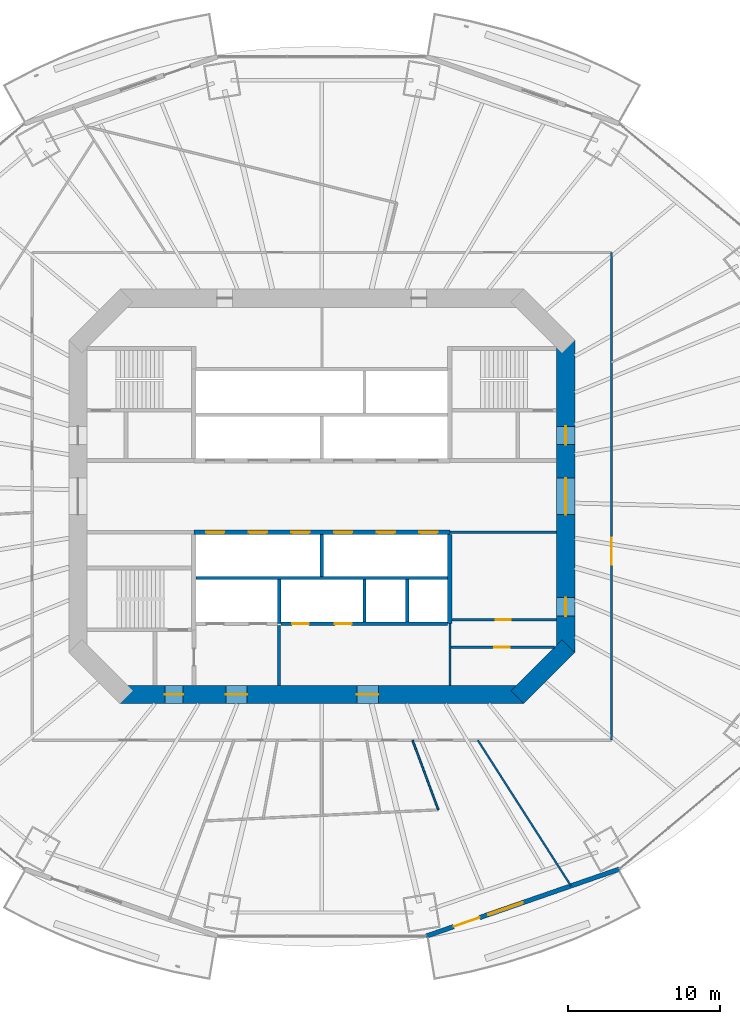
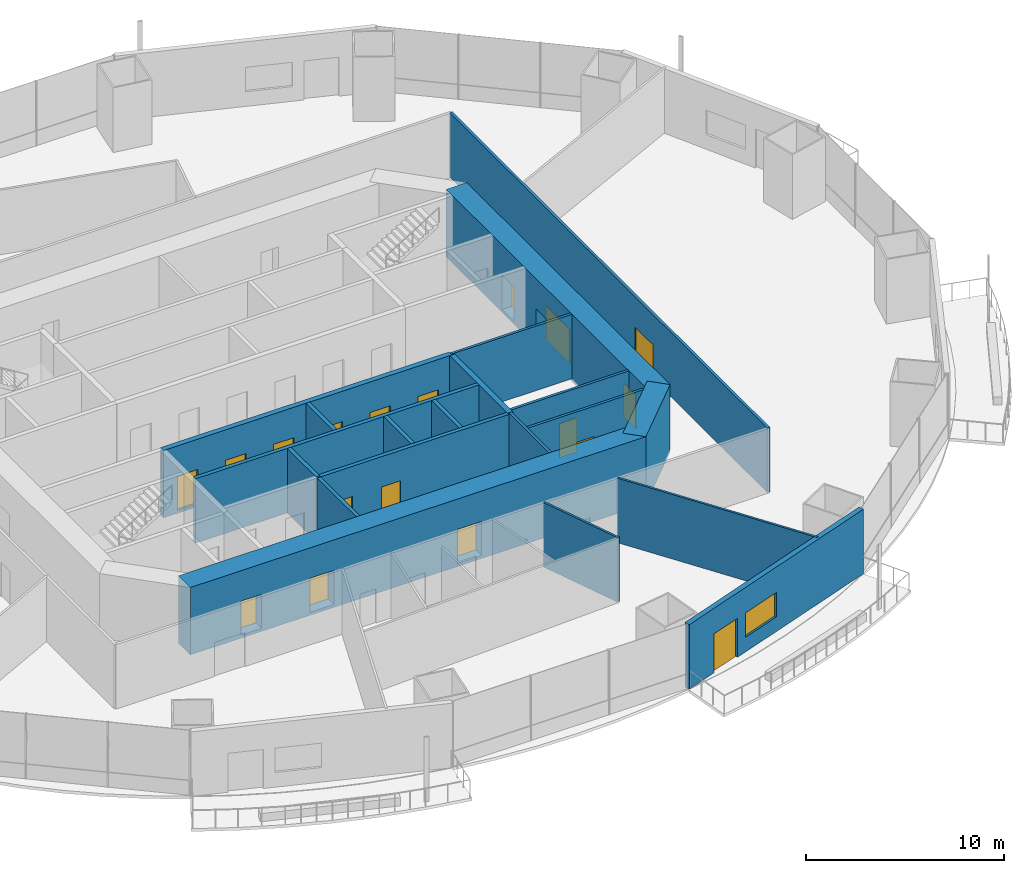
# One storey, part 14 of 22: 20 walls, 18 doors, 1 window, 19 openings.
"""IFC4 building model written with IfcOpenShell, lengths in metres."""

import ifcopenshell
import ifcopenshell.guid

model = None  # the IFC model being written
_history = None  # IfcOwnerHistory: only IFC2X3 demands one
_inside = {}  # id of a spatial element -> (the spatial element, [elements in it])
_under = {}  # id of a project, library or spatial element -> (it, [spatial elements below it])
_declared = {}  # id of a project -> (the project, [libraries it declares])
_typed = {}  # id of a type object -> (the type object, [elements of that type])
_made_of = {}  # id of a material, layer set ... -> (it, [elements and type objects made of it])


def new_model(schema):
    """Start an empty IFC model of exactly this schema.

    Asked for "IFC4X3", IfcOpenShell would pick the latest addendum, in which some entities
    have other attributes; the version numbers below select the first issue.
    IFC2X3 requires an IfcOwnerHistory on every rooted entity: one is made here for all.
    """
    global model, _history
    if schema == "IFC4X3":
        model = ifcopenshell.file(schema_version=(4, 3, 0, 0))
    else:
        model = ifcopenshell.file(schema=schema)
    _inside.clear()
    _under.clear()
    _declared.clear()
    _typed.clear()
    _made_of.clear()
    _history = None
    if model.schema == "IFC2X3":
        org = make("IfcOrganization", Name="unknown")
        user = make(
            "IfcPersonAndOrganization",
            ThePerson=make("IfcPerson", FamilyName="unknown"),
            TheOrganization=org,
        )
        app = make(
            "IfcApplication",
            ApplicationDeveloper=org,
            Version="unknown",
            ApplicationFullName="unknown",
            ApplicationIdentifier="unknown",
        )
        _history = make(
            "IfcOwnerHistory",
            OwningUser=user,
            OwningApplication=app,
            ChangeAction="ADDED",
            CreationDate=0,
        )
    return model


def make(cls, **values):
    """One entity of the class cls with the attributes given. An attribute that is None is left unset."""
    return model.create_entity(
        cls, **{name: value for name, value in values.items() if value is not None}
    )


def rooted(cls, **values):
    """An entity with a GlobalId (a new one), such as an element, a storey or a relation."""
    return make(cls, GlobalId=ifcopenshell.guid.new(), OwnerHistory=_history, **values)


def si_unit(unit_type, name, prefix=None):
    """IfcSIUnit, for example si_unit("LENGTHUNIT", "METRE", prefix="MILLI")."""
    return make("IfcSIUnit", UnitType=unit_type, Prefix=prefix, Name=name)


def assignment(units):
    """IfcUnitAssignment: the units of a project."""
    return None if units is None else make("IfcUnitAssignment", Units=units)


def point(xyz):
    """IfcCartesianPoint."""
    return None if xyz is None else make("IfcCartesianPoint", Coordinates=xyz)


def direction(xyz):
    """IfcDirection."""
    return None if xyz is None else make("IfcDirection", DirectionRatios=xyz)


def frame(location, z_axis=None, x_axis=None):
    """IfcAxis2Placement3D, a coordinate frame: its origin and axes. An axis left out is left unset."""
    return make(
        "IfcAxis2Placement3D",
        Location=point(location),
        Axis=direction(z_axis),
        RefDirection=direction(x_axis),
    )


def frame_2d(location, x_axis=None):
    """IfcAxis2Placement2D, a coordinate frame in the plane: its origin and x axis."""
    return make(
        "IfcAxis2Placement2D", Location=point(location), RefDirection=direction(x_axis)
    )


def origin():
    """The frame at (0, 0, 0) with its axes left unset."""
    return frame((0.0, 0.0, 0.0))


def place(relative_to, where):
    """IfcLocalPlacement: puts the frame where relative to a parent placement (None: the world)."""
    return make(
        "IfcLocalPlacement", PlacementRelTo=relative_to, RelativePlacement=where
    )


def context(
    kind, dimensions, precision=None, world=None, true_north=None, identifier=None
):
    """IfcGeometricRepresentationContext, for example the 3D "Model" context."""
    return make(
        "IfcGeometricRepresentationContext",
        ContextIdentifier=identifier,
        ContextType=kind,
        CoordinateSpaceDimension=dimensions,
        Precision=precision,
        WorldCoordinateSystem=world,
        TrueNorth=true_north,
    )


def subcontext(parent, identifier, kind, view, scale=None):
    """IfcGeometricRepresentationSubContext, for example "Body" below "Model"."""
    return make(
        "IfcGeometricRepresentationSubContext",
        ContextIdentifier=identifier,
        ContextType=kind,
        ParentContext=parent,
        TargetScale=scale,
        TargetView=view,
    )


def project(units=None, contexts=None):
    """IfcProject with its units and contexts."""
    return rooted(
        "IfcProject",
        Name="project",
        RepresentationContexts=contexts,
        UnitsInContext=assignment(units),
    )


def spatial(cls, under=None, at=None, **own):
    """A site, building, storey or space (cls), placed at a placement, below another one or the project."""
    s = rooted(cls, ObjectPlacement=at, **own)
    if under is not None:
        _under.setdefault(under.id(), (under, []))[1].append(s)
    return s


def profile(cls, at=None, kind="AREA", **sizes):
    """A parametric profile (cls). Its sizes go by their IFC names, for example OverallWidth=200.0."""
    return make(cls, ProfileType=kind, Position=at, **sizes)


def rectangle(**sizes):
    """IfcRectangleProfileDef."""
    return profile("IfcRectangleProfileDef", **sizes)


def extrude(swept, where, along, depth):
    """IfcExtrudedAreaSolid: the profile swept, set in the frame where, extruded along a direction by depth."""
    return make(
        "IfcExtrudedAreaSolid",
        SweptArea=swept,
        Position=where,
        ExtrudedDirection=direction(along),
        Depth=depth,
    )


def shape(context_of_items, identifier, shape_type, items):
    """IfcShapeRepresentation: the items that make up one representation, for example the "Body"."""
    return make(
        "IfcShapeRepresentation",
        ContextOfItems=context_of_items,
        RepresentationIdentifier=identifier,
        RepresentationType=shape_type,
        Items=items,
    )


def material(Name=None, Category=None):
    """IfcMaterial."""
    return make("IfcMaterial", Name=Name, Category=Category)


def layer(
    of_material, thickness, ventilated=None, Name=None, Category=None, Priority=None
):
    """IfcMaterialLayer: one layer of a wall or slab, of a material (None: an air gap)."""
    return make(
        "IfcMaterialLayer",
        Material=of_material,
        LayerThickness=thickness,
        IsVentilated=ventilated,
        Name=Name,
        Category=Category,
        Priority=Priority,
    )


def layer_set(layers, Name=None):
    """IfcMaterialLayerSet."""
    return make("IfcMaterialLayerSet", MaterialLayers=layers, LayerSetName=Name)


def made_of(thing, what):
    """Note that an element or type object is made of a material, layer set ...; save() writes the relation."""
    if what is not None:
        _made_of.setdefault(what.id(), (what, []))[1].append(thing)
    return thing


def type_object(cls, material=None, **own):
    """A type object (cls), such as IfcWallType, which elements share."""
    return made_of(rooted(cls, **own), material)


def element(
    cls,
    number,
    at=None,
    inside=None,
    cuts=None,
    type_object=None,
    material=None,
    context=None,
    identifier="Body",
    shape_type=None,
    held_by="IfcProductDefinitionShape",
    body=None,
    shapes=None,
    **own,
):
    """One element of the class cls, such as IfcWall. Its Tag is "e" and its number.

    at: its placement. inside: the storey or other place that contains it. cuts: it is an
    opening in that element (IfcRelVoidsElement). A single representation is given by context,
    identifier, shape_type and body (its items); several are given by shapes. held_by: the class
    of the entity that holds the representations. save() writes the other relations.
    """
    e = rooted(cls, Tag="e%d" % number, ObjectPlacement=at, **own)
    if body is not None:
        shapes = [shape(context, identifier, shape_type, body)]
    if shapes is not None:
        e.Representation = make(held_by, Representations=shapes)
    if inside is not None:
        _inside.setdefault(inside.id(), (inside, []))[1].append(e)
    if cuts is not None:
        rooted(
            "IfcRelVoidsElement", RelatingBuildingElement=cuts, RelatedOpeningElement=e
        )
    if type_object is not None:
        _typed.setdefault(type_object.id(), (type_object, []))[1].append(e)
    return made_of(e, material)


def fill(opening, filler):
    """IfcRelFillsElement: the door or window that sits in an opening."""
    return rooted(
        "IfcRelFillsElement",
        RelatingOpeningElement=opening,
        RelatedBuildingElement=filler,
    )


def aggregate(whole, parts):
    """IfcRelAggregates: a whole, such as a stair, and the parts it consists of."""
    return rooted("IfcRelAggregates", RelatingObject=whole, RelatedObjects=parts)


def save(model, path):
    """Write the relations noted so far, then the file.

    IfcRelAggregates (storeys below a building ...), IfcRelContainedInSpatialStructure (elements
    in a storey), IfcRelDefinesByType, IfcRelAssociatesMaterial and IfcRelDeclares: one each for
    every whole, place, type object, material and project.
    """
    for whole, parts in _under.values():
        aggregate(whole, parts)
    for where, things in _inside.values():
        rooted(
            "IfcRelContainedInSpatialStructure",
            RelatedElements=things,
            RelatingStructure=where,
        )
    for kind, things in _typed.values():
        rooted("IfcRelDefinesByType", RelatedObjects=things, RelatingType=kind)
    for what, things in _made_of.values():
        rooted("IfcRelAssociatesMaterial", RelatedObjects=things, RelatingMaterial=what)
    for by, libraries in _declared.values():
        rooted("IfcRelDeclares", RelatingContext=by, RelatedDefinitions=libraries)
    model.write(path)


model = new_model("IFC4")

# Units and contexts
model_context = context("Model", 3, precision=1e-05, world=origin(), true_north=direction((0.0, 1.0)))
body_context = subcontext(model_context, "Body", "Model", "MODEL_VIEW")
ifc_project = project(units=[si_unit("LENGTHUNIT", "METRE"), si_unit("AREAUNIT", "SQUARE_METRE"), si_unit("VOLUMEUNIT", "CUBIC_METRE"), si_unit("PLANEANGLEUNIT", "RADIAN"), si_unit("MASSUNIT", "GRAM", prefix="KILO")], contexts=[model_context])

# Site, building, storey
site_placement = place(None, origin())
site = spatial("IfcSite", under=ifc_project, at=site_placement, CompositionType="ELEMENT")
building_placement = place(site_placement, origin())
building = spatial("IfcBuilding", under=site, at=building_placement, Name="Marenthal Gate Tower", CompositionType="ELEMENT")
storey_placement = place(building_placement, frame((0.0, 0.0, 86.949951171875)))
storey = spatial("IfcBuildingStorey", under=building, at=storey_placement, Name="L17", CompositionType="ELEMENT", Elevation=86.949951171875)

# Wall
ifc_material_1 = material(Name="Concrete 60 MPa", Category="concrete")
ifc_layer_1 = layer(ifc_material_1, 1.199951171875)
ifc_layer_set_1 = layer_set([ifc_layer_1], Name="Core shear wall 1200")
wall_type_1 = type_object("IfcWallType", Name="Core shear wall 1200", PredefinedType="SHEAR", material=ifc_layer_set_1)
wall_1_placement = place(storey_placement, frame((12.82421875, -13.17578125, -0.179931640625), z_axis=(0.0, 0.0, 1.0), x_axis=(0.707106781187, 0.707106781187, 0.0)))
element("IfcWall", 1, at=wall_1_placement, inside=storey, type_object=wall_type_1, Name="Core wall 01", PredefinedType="SHEAR", context=body_context, shape_type="SweptSolid", body=[
    extrude(rectangle(XDim=4.73974609375, YDim=1.199951171875, at=frame_2d((2.369873046875, 0.0))), origin(), (0.0, 0.0, 1.0), 4.14990234375),
])

# Wall, openings, doors
wall_2_placement = place(storey_placement, frame((16.0, -10.24853515625, -0.179931640625), z_axis=(0.0, 0.0, 1.0), x_axis=(0.0, 1.0, 0.0)))
wall_2 = element("IfcWall", 2, at=wall_2_placement, inside=storey, type_object=wall_type_1, Name="Core wall 02", PredefinedType="SHEAR", context=body_context, shape_type="SweptSolid", body=[
    extrude(rectangle(XDim=20.4970703125, YDim=1.199951171875, at=frame_2d((10.24853515625, 0.0))), origin(), (0.0, 0.0, 1.0), 4.14990234375),
])
opening_1_placement = place(wall_2_placement, frame((9.048583984375, 0.0, 0.179931640625)))
opening_1 = element("IfcOpeningElement", 3, at=opening_1_placement, cuts=wall_2, Name="Opening D003.02", PredefinedType="OPENING", context=body_context, shape_type="SweptSolid", body=[
    extrude(rectangle(XDim=2.39990234375, YDim=2.10009765625, at=frame_2d((1.199951171875, 1.050048828125))), frame((0.0, 0.60986328125, 0.0), z_axis=(0.0, -1.0, 0.0), x_axis=(1.0, 0.0, 0.0)), (0.0, 0.0, 1.0), 1.219970703125),
])
opening_2_placement = place(wall_2_placement, frame((13.6484375, 0.0, 0.179931640625)))
opening_2 = element("IfcOpeningElement", 4, at=opening_2_placement, cuts=wall_2, Name="Opening D001.05", PredefinedType="OPENING", context=body_context, shape_type="SweptSolid", body=[
    extrude(rectangle(XDim=1.199951171875, YDim=2.10009765625, at=frame_2d((0.60009765625, 1.050048828125))), frame((0.0, 0.60986328125, 0.0), z_axis=(0.0, -1.0, 0.0), x_axis=(1.0, 0.0, 0.0)), (0.0, 0.0, 1.0), 1.219970703125),
])
opening_3_placement = place(wall_2_placement, frame((2.39990234375, 0.0, 0.179931640625)))
opening_3 = element("IfcOpeningElement", 5, at=opening_3_placement, cuts=wall_2, Name="Opening D006.01", PredefinedType="OPENING", context=body_context, shape_type="SweptSolid", body=[
    extrude(rectangle(XDim=1.199951171875, YDim=2.10009765625, at=frame_2d((0.60009765625, 1.050048828125))), frame((0.0, 0.60986328125, 0.0), z_axis=(0.0, -1.0, 0.0), x_axis=(1.0, 0.0, 0.0)), (0.0, 0.0, 1.0), 1.219970703125),
])
ifc_material_2 = material(Name="Steel fire door", Category="steel")
door_type_1 = type_object("IfcDoorType", Name="Double fire door FD 45 2400 x 2100", OperationType="DOUBLE_DOOR_SINGLE_SWING", PredefinedType="DOOR", material=ifc_material_2)
door_1_placement = place(opening_1_placement, origin())
door_1 = element("IfcDoor", 6, at=door_1_placement, inside=storey, type_object=door_type_1, Name="Door D003.02", OperationType="DOUBLE_DOOR_SINGLE_SWING", OverallHeight=2.10009765625, OverallWidth=2.39990234375, PredefinedType="DOOR", context=body_context, shape_type="SweptSolid", body=[
    extrude(rectangle(XDim=2.39990234375, YDim=2.10009765625, at=frame_2d((1.199951171875, 1.050048828125))), frame((0.0, 0.02490234375, 0.0), z_axis=(0.0, -1.0, 0.0), x_axis=(1.0, 0.0, 0.0)), (0.0, 0.0, 1.0), 0.050048828125),
])
fill(opening_1, door_1)
ifc_material_3 = material(Name="Steel fire door", Category="steel")
door_type_2 = type_object("IfcDoorType", Name="Fire door FD 45 1200 x 2100", OperationType="NOTDEFINED", PredefinedType="DOOR", material=ifc_material_3)
door_2_placement = place(opening_3_placement, origin())
door_2 = element("IfcDoor", 7, at=door_2_placement, inside=storey, type_object=door_type_2, Name="Door D006.01", OperationType="SINGLE_SWING_RIGHT", OverallHeight=2.10009765625, OverallWidth=1.199951171875, PredefinedType="DOOR", context=body_context, shape_type="SweptSolid", body=[
    extrude(rectangle(XDim=1.199951171875, YDim=2.10009765625, at=frame_2d((0.60009765625, 1.050048828125))), frame((0.0, 0.02490234375, 0.0), z_axis=(0.0, -1.0, 0.0), x_axis=(1.0, 0.0, 0.0)), (0.0, 0.0, 1.0), 0.050048828125),
])
fill(opening_3, door_2)
ifc_material_4 = material(Name="Steel fire door", Category="steel")
door_type_3 = type_object("IfcDoorType", Name="Fire door FD 90 1200 x 2100", OperationType="NOTDEFINED", PredefinedType="DOOR", material=ifc_material_4)
door_3_placement = place(opening_2_placement, origin())
door_3 = element("IfcDoor", 8, at=door_3_placement, inside=storey, type_object=door_type_3, Name="Door D001.05", OperationType="SINGLE_SWING_RIGHT", OverallHeight=2.10009765625, OverallWidth=1.199951171875, PredefinedType="DOOR", context=body_context, shape_type="SweptSolid", body=[
    extrude(rectangle(XDim=1.199951171875, YDim=2.10009765625, at=frame_2d((0.60009765625, 1.050048828125))), frame((0.0, 0.02490234375, 0.0), z_axis=(0.0, -1.0, 0.0), x_axis=(1.0, 0.0, 0.0)), (0.0, 0.0, 1.0), 0.050048828125),
])
fill(opening_2, door_3)

wall_3_placement = place(storey_placement, frame((-13.24853515625, -13.0, -0.179931640625), z_axis=(0.0, 0.0, 1.0), x_axis=(1.0, 0.0, 0.0)))
wall_3 = element("IfcWall", 9, at=wall_3_placement, inside=storey, type_object=wall_type_1, Name="Core wall 08", PredefinedType="SHEAR", context=body_context, shape_type="SweptSolid", body=[
    extrude(rectangle(XDim=26.4970703125, YDim=1.199951171875, at=frame_2d((13.24853515625, 0.0))), origin(), (0.0, 0.0, 1.0), 4.14990234375),
])
opening_4_placement = place(wall_3_placement, frame((2.948486328125, 0.0, 0.179931640625)))
opening_4 = element("IfcOpeningElement", 10, at=opening_4_placement, cuts=wall_3, Name="Opening D001.06", PredefinedType="OPENING", context=body_context, shape_type="SweptSolid", body=[
    extrude(rectangle(XDim=1.199951171875, YDim=2.10009765625, at=frame_2d((0.60009765625, 1.050048828125))), frame((0.0, 0.60986328125, 0.0), z_axis=(0.0, -1.0, 0.0), x_axis=(1.0, 0.0, 0.0)), (0.0, 0.0, 1.0), 1.219970703125),
])
opening_5_placement = place(wall_3_placement, frame((6.948486328125, 0.0, 0.179931640625)))
opening_5 = element("IfcOpeningElement", 11, at=opening_5_placement, cuts=wall_3, Name="Opening D004.01", PredefinedType="OPENING", context=body_context, shape_type="SweptSolid", body=[
    extrude(rectangle(XDim=1.39990234375, YDim=2.10009765625, at=frame_2d((0.699951171875, 1.050048828125))), frame((0.0, 0.60986328125, 0.0), z_axis=(0.0, -1.0, 0.0), x_axis=(1.0, 0.0, 0.0)), (0.0, 0.0, 1.0), 1.219970703125),
])
opening_6_placement = place(wall_3_placement, frame((15.548583984375, 0.0, 0.179931640625)))
opening_6 = element("IfcOpeningElement", 12, at=opening_6_placement, cuts=wall_3, Name="Opening D004.02", PredefinedType="OPENING", context=body_context, shape_type="SweptSolid", body=[
    extrude(rectangle(XDim=1.39990234375, YDim=2.10009765625, at=frame_2d((0.699951171875, 1.050048828125))), frame((0.0, 0.60986328125, 0.0), z_axis=(0.0, -1.0, 0.0), x_axis=(1.0, 0.0, 0.0)), (0.0, 0.0, 1.0), 1.219970703125),
])
ifc_material_5 = material(Name="Steel fire door", Category="steel")
door_type_4 = type_object("IfcDoorType", Name="Fire door FD 45 1400 x 2100", OperationType="NOTDEFINED", PredefinedType="DOOR", material=ifc_material_5)
door_4_placement = place(opening_5_placement, origin())
door_4 = element("IfcDoor", 13, at=door_4_placement, inside=storey, type_object=door_type_4, Name="Door D004.01", OperationType="SINGLE_SWING_RIGHT", OverallHeight=2.10009765625, OverallWidth=1.39990234375, PredefinedType="DOOR", context=body_context, shape_type="SweptSolid", body=[
    extrude(rectangle(XDim=1.39990234375, YDim=2.10009765625, at=frame_2d((0.699951171875, 1.050048828125))), frame((0.0, 0.02490234375, 0.0), z_axis=(0.0, -1.0, 0.0), x_axis=(1.0, 0.0, 0.0)), (0.0, 0.0, 1.0), 0.050048828125),
])
fill(opening_5, door_4)
door_5_placement = place(opening_6_placement, origin())
door_5 = element("IfcDoor", 14, at=door_5_placement, inside=storey, type_object=door_type_4, Name="Door D004.02", OperationType="SINGLE_SWING_RIGHT", OverallHeight=2.10009765625, OverallWidth=1.39990234375, PredefinedType="DOOR", context=body_context, shape_type="SweptSolid", body=[
    extrude(rectangle(XDim=1.39990234375, YDim=2.10009765625, at=frame_2d((0.699951171875, 1.050048828125))), frame((0.0, 0.02490234375, 0.0), z_axis=(0.0, -1.0, 0.0), x_axis=(1.0, 0.0, 0.0)), (0.0, 0.0, 1.0), 0.050048828125),
])
fill(opening_6, door_5)
door_6_placement = place(opening_4_placement, origin())
door_6 = element("IfcDoor", 15, at=door_6_placement, inside=storey, type_object=door_type_3, Name="Door D001.06", OperationType="SINGLE_SWING_RIGHT", OverallHeight=2.10009765625, OverallWidth=1.199951171875, PredefinedType="DOOR", context=body_context, shape_type="SweptSolid", body=[
    extrude(rectangle(XDim=1.199951171875, YDim=2.10009765625, at=frame_2d((0.60009765625, 1.050048828125))), frame((0.0, 0.02490234375, 0.0), z_axis=(0.0, -1.0, 0.0), x_axis=(1.0, 0.0, 0.0)), (0.0, 0.0, 1.0), 0.050048828125),
])
fill(opening_4, door_6)

# Wall
ifc_material_6 = material(Name="Gypsum board on steel studs", Category="steel")
ifc_layer_2 = layer(ifc_material_6, 0.199951171875)
ifc_layer_set_2 = layer_set([ifc_layer_2], Name="Fire lobby wall 200")
wall_type_2 = type_object("IfcWallType", Name="Fire lobby wall 200", PredefinedType="PARTITIONING", material=ifc_layer_set_2)
wall_4_placement = place(storey_placement, frame((-2.800048828125, -12.39990234375, 0.0), z_axis=(0.0, 0.0, 1.0), x_axis=(0.0, 1.0, 0.0)))
element("IfcWall", 16, at=wall_4_placement, inside=storey, type_object=wall_type_2, Name="Fire wall 34", PredefinedType="PARTITIONING", context=body_context, shape_type="SweptSolid", body=[
    extrude(rectangle(XDim=3.93994140625, YDim=0.199951171875, at=frame_2d((1.969970703125, 0.0))), origin(), (0.0, 0.0, 1.0), 3.969970703125),
])

# Wall, openings, doors
ifc_material_7 = material(Name="Concrete 50 MPa", Category="concrete")
ifc_layer_3 = layer(ifc_material_7, 0.300048828125)
ifc_layer_set_3 = layer_set([ifc_layer_3], Name="Hoistway shear wall 300")
wall_type_3 = type_object("IfcWallType", Name="Hoistway shear wall 300", PredefinedType="SHEAR", material=ifc_layer_set_3)
wall_5_placement = place(storey_placement, frame((-8.39990234375, -2.35009765625, -0.179931640625), z_axis=(0.0, 0.0, 1.0), x_axis=(1.0, 0.0, 0.0)))
wall_5 = element("IfcWall", 17, at=wall_5_placement, inside=storey, type_object=wall_type_3, Name="Hoistway wall 17", PredefinedType="SHEAR", context=body_context, shape_type="SweptSolid", body=[
    extrude(rectangle(XDim=16.7998046875, YDim=0.300048828125, at=frame_2d((8.39990234375, 0.0))), origin(), (0.0, 0.0, 1.0), 4.14990234375),
])
opening_7_placement = place(wall_5_placement, frame((0.800048828125, 0.0, 0.179931640625)))
opening_7 = element("IfcOpeningElement", 18, at=opening_7_placement, cuts=wall_5, Name="Opening LD-LP7", PredefinedType="OPENING", context=body_context, shape_type="SweptSolid", body=[
    extrude(rectangle(XDim=1.199951171875, YDim=2.10009765625, at=frame_2d((0.60009765625, 1.050048828125))), frame((0.0, 0.16015625, 0.0), z_axis=(0.0, -1.0, 0.0), x_axis=(1.0, 0.0, 0.0)), (0.0, 0.0, 1.0), 0.320068359375),
])
opening_8_placement = place(wall_5_placement, frame((3.60009765625, 0.0, 0.179931640625)))
opening_8 = element("IfcOpeningElement", 19, at=opening_8_placement, cuts=wall_5, Name="Opening LD-LP8", PredefinedType="OPENING", context=body_context, shape_type="SweptSolid", body=[
    extrude(rectangle(XDim=1.199951171875, YDim=2.10009765625, at=frame_2d((0.60009765625, 1.050048828125))), frame((0.0, 0.16015625, 0.0), z_axis=(0.0, -1.0, 0.0), x_axis=(1.0, 0.0, 0.0)), (0.0, 0.0, 1.0), 0.320068359375),
])
opening_9_placement = place(wall_5_placement, frame((6.39990234375, 0.0, 0.179931640625)))
opening_9 = element("IfcOpeningElement", 20, at=opening_9_placement, cuts=wall_5, Name="Opening LD-LP9", PredefinedType="OPENING", context=body_context, shape_type="SweptSolid", body=[
    extrude(rectangle(XDim=1.199951171875, YDim=2.10009765625, at=frame_2d((0.60009765625, 1.050048828125))), frame((0.0, 0.16015625, 0.0), z_axis=(0.0, -1.0, 0.0), x_axis=(1.0, 0.0, 0.0)), (0.0, 0.0, 1.0), 0.320068359375),
])
opening_10_placement = place(wall_5_placement, frame((9.199951171875, 0.0, 0.179931640625)))
opening_10 = element("IfcOpeningElement", 21, at=opening_10_placement, cuts=wall_5, Name="Opening LD-LP10", PredefinedType="OPENING", context=body_context, shape_type="SweptSolid", body=[
    extrude(rectangle(XDim=1.199951171875, YDim=2.10009765625, at=frame_2d((0.60009765625, 1.050048828125))), frame((0.0, 0.16015625, 0.0), z_axis=(0.0, -1.0, 0.0), x_axis=(1.0, 0.0, 0.0)), (0.0, 0.0, 1.0), 0.320068359375),
])
opening_11_placement = place(wall_5_placement, frame((12.0, 0.0, 0.179931640625)))
opening_11 = element("IfcOpeningElement", 22, at=opening_11_placement, cuts=wall_5, Name="Opening LD-LP11", PredefinedType="OPENING", context=body_context, shape_type="SweptSolid", body=[
    extrude(rectangle(XDim=1.199951171875, YDim=2.10009765625, at=frame_2d((0.60009765625, 1.050048828125))), frame((0.0, 0.16015625, 0.0), z_axis=(0.0, -1.0, 0.0), x_axis=(1.0, 0.0, 0.0)), (0.0, 0.0, 1.0), 0.320068359375),
])
opening_12_placement = place(wall_5_placement, frame((14.800048828125, 0.0, 0.179931640625)))
opening_12 = element("IfcOpeningElement", 23, at=opening_12_placement, cuts=wall_5, Name="Opening LD-LP12", PredefinedType="OPENING", context=body_context, shape_type="SweptSolid", body=[
    extrude(rectangle(XDim=1.199951171875, YDim=2.10009765625, at=frame_2d((0.60009765625, 1.050048828125))), frame((0.0, 0.16015625, 0.0), z_axis=(0.0, -1.0, 0.0), x_axis=(1.0, 0.0, 0.0)), (0.0, 0.0, 1.0), 0.320068359375),
])
ifc_material_8 = material(Name="Stainless steel sliding door", Category="steel")
door_type_5 = type_object("IfcDoorType", Name="Lift landing door FD 90 1200 x 2100", OperationType="DOUBLE_DOOR_SLIDING", PredefinedType="DOOR", material=ifc_material_8)
door_7_placement = place(opening_7_placement, origin())
door_7 = element("IfcDoor", 24, at=door_7_placement, inside=storey, type_object=door_type_5, Name="Lift landing door LP7", OperationType="DOUBLE_DOOR_SLIDING", OverallHeight=2.10009765625, OverallWidth=1.199951171875, PredefinedType="DOOR", context=body_context, shape_type="SweptSolid", body=[
    extrude(rectangle(XDim=1.199951171875, YDim=2.10009765625, at=frame_2d((0.60009765625, 1.050048828125))), frame((0.0, 0.02490234375, 0.0), z_axis=(0.0, -1.0, 0.0), x_axis=(1.0, 0.0, 0.0)), (0.0, 0.0, 1.0), 0.050048828125),
])
fill(opening_7, door_7)
door_8_placement = place(opening_8_placement, origin())
door_8 = element("IfcDoor", 25, at=door_8_placement, inside=storey, type_object=door_type_5, Name="Lift landing door LP8", OperationType="DOUBLE_DOOR_SLIDING", OverallHeight=2.10009765625, OverallWidth=1.199951171875, PredefinedType="DOOR", context=body_context, shape_type="SweptSolid", body=[
    extrude(rectangle(XDim=1.199951171875, YDim=2.10009765625, at=frame_2d((0.60009765625, 1.050048828125))), frame((0.0, 0.02490234375, 0.0), z_axis=(0.0, -1.0, 0.0), x_axis=(1.0, 0.0, 0.0)), (0.0, 0.0, 1.0), 0.050048828125),
])
fill(opening_8, door_8)
door_9_placement = place(opening_9_placement, origin())
door_9 = element("IfcDoor", 26, at=door_9_placement, inside=storey, type_object=door_type_5, Name="Lift landing door LP9", OperationType="DOUBLE_DOOR_SLIDING", OverallHeight=2.10009765625, OverallWidth=1.199951171875, PredefinedType="DOOR", context=body_context, shape_type="SweptSolid", body=[
    extrude(rectangle(XDim=1.199951171875, YDim=2.10009765625, at=frame_2d((0.60009765625, 1.050048828125))), frame((0.0, 0.02490234375, 0.0), z_axis=(0.0, -1.0, 0.0), x_axis=(1.0, 0.0, 0.0)), (0.0, 0.0, 1.0), 0.050048828125),
])
fill(opening_9, door_9)
door_10_placement = place(opening_10_placement, origin())
door_10 = element("IfcDoor", 27, at=door_10_placement, inside=storey, type_object=door_type_5, Name="Lift landing door LP10", OperationType="DOUBLE_DOOR_SLIDING", OverallHeight=2.10009765625, OverallWidth=1.199951171875, PredefinedType="DOOR", context=body_context, shape_type="SweptSolid", body=[
    extrude(rectangle(XDim=1.199951171875, YDim=2.10009765625, at=frame_2d((0.60009765625, 1.050048828125))), frame((0.0, 0.02490234375, 0.0), z_axis=(0.0, -1.0, 0.0), x_axis=(1.0, 0.0, 0.0)), (0.0, 0.0, 1.0), 0.050048828125),
])
fill(opening_10, door_10)
door_11_placement = place(opening_11_placement, origin())
door_11 = element("IfcDoor", 28, at=door_11_placement, inside=storey, type_object=door_type_5, Name="Lift landing door LP11", OperationType="DOUBLE_DOOR_SLIDING", OverallHeight=2.10009765625, OverallWidth=1.199951171875, PredefinedType="DOOR", context=body_context, shape_type="SweptSolid", body=[
    extrude(rectangle(XDim=1.199951171875, YDim=2.10009765625, at=frame_2d((0.60009765625, 1.050048828125))), frame((0.0, 0.02490234375, 0.0), z_axis=(0.0, -1.0, 0.0), x_axis=(1.0, 0.0, 0.0)), (0.0, 0.0, 1.0), 0.050048828125),
])
fill(opening_11, door_11)
door_12_placement = place(opening_12_placement, origin())
door_12 = element("IfcDoor", 29, at=door_12_placement, inside=storey, type_object=door_type_5, Name="Lift landing door LP12", OperationType="DOUBLE_DOOR_SLIDING", OverallHeight=2.10009765625, OverallWidth=1.199951171875, PredefinedType="DOOR", context=body_context, shape_type="SweptSolid", body=[
    extrude(rectangle(XDim=1.199951171875, YDim=2.10009765625, at=frame_2d((0.60009765625, 1.050048828125))), frame((0.0, 0.02490234375, 0.0), z_axis=(0.0, -1.0, 0.0), x_axis=(1.0, 0.0, 0.0)), (0.0, 0.0, 1.0), 0.050048828125),
])
fill(opening_12, door_12)

# Wall
wall_6_placement = place(storey_placement, frame((8.39990234375, -8.35009765625, -0.179931640625), z_axis=(0.0, 0.0, 1.0), x_axis=(0.0, 1.0, 0.0)))
element("IfcWall", 30, at=wall_6_placement, inside=storey, type_object=wall_type_3, Name="Hoistway wall 43", PredefinedType="SHEAR", context=body_context, shape_type="SweptSolid", body=[
    extrude(rectangle(XDim=5.85009765625, YDim=0.300048828125, at=frame_2d((2.925048828125, 0.0))), origin(), (0.0, 0.0, 1.0), 4.14990234375),
])

# Wall, openings, doors
ifc_material_9 = material(Name="Concrete 40 MPa", Category="concrete")
ifc_layer_4 = layer(ifc_material_9, 0.219970703125)
ifc_layer_set_4 = layer_set([ifc_layer_4], Name="Hoistway wall 220")
wall_type_4 = type_object("IfcWallType", Name="Hoistway wall 220", PredefinedType="STANDARD", material=ifc_layer_set_4)
wall_7_placement = place(storey_placement, frame((-2.68994140625, -8.35009765625, 0.0), z_axis=(0.0, 0.0, 1.0), x_axis=(1.0, 0.0, 0.0)))
wall_7 = element("IfcWall", 31, at=wall_7_placement, inside=storey, type_object=wall_type_4, Name="Hoistway wall 12", PredefinedType="STANDARD", context=body_context, shape_type="SweptSolid", body=[
    extrude(rectangle(XDim=10.93994140625, YDim=0.219970703125, at=frame_2d((5.469970703125, 0.0))), origin(), (0.0, 0.0, 1.0), 3.969970703125),
])
opening_13_placement = place(wall_7_placement, frame((0.739990234375, 0.0, 0.0)))
opening_13 = element("IfcOpeningElement", 32, at=opening_13_placement, cuts=wall_7, Name="Opening LD-SV1", PredefinedType="OPENING", context=body_context, shape_type="SweptSolid", body=[
    extrude(rectangle(XDim=1.10009765625, YDim=2.10009765625, at=frame_2d((0.550048828125, 1.050048828125))), frame((0.0, 0.1201171875, 0.0), z_axis=(0.0, -1.0, 0.0), x_axis=(1.0, 0.0, 0.0)), (0.0, 0.0, 1.0), 0.239990234375),
])
opening_14_placement = place(wall_7_placement, frame((3.5400390625, 0.0, 0.0)))
opening_14 = element("IfcOpeningElement", 33, at=opening_14_placement, cuts=wall_7, Name="Opening LD-SV2", PredefinedType="OPENING", context=body_context, shape_type="SweptSolid", body=[
    extrude(rectangle(XDim=1.10009765625, YDim=2.10009765625, at=frame_2d((0.550048828125, 1.050048828125))), frame((0.0, 0.1201171875, 0.0), z_axis=(0.0, -1.0, 0.0), x_axis=(1.0, 0.0, 0.0)), (0.0, 0.0, 1.0), 0.239990234375),
])
ifc_material_10 = material(Name="Stainless steel sliding door", Category="steel")
door_type_6 = type_object("IfcDoorType", Name="Lift landing door FD 90 1100 x 2100", OperationType="DOUBLE_DOOR_SLIDING", PredefinedType="DOOR", material=ifc_material_10)
door_13_placement = place(opening_13_placement, origin())
door_13 = element("IfcDoor", 34, at=door_13_placement, inside=storey, type_object=door_type_6, Name="Lift landing door SV1", OperationType="DOUBLE_DOOR_SLIDING", OverallHeight=2.10009765625, OverallWidth=1.10009765625, PredefinedType="DOOR", context=body_context, shape_type="SweptSolid", body=[
    extrude(rectangle(XDim=1.10009765625, YDim=2.10009765625, at=frame_2d((0.550048828125, 1.050048828125))), frame((0.0, 0.02490234375, 0.0), z_axis=(0.0, -1.0, 0.0), x_axis=(1.0, 0.0, 0.0)), (0.0, 0.0, 1.0), 0.050048828125),
])
fill(opening_13, door_13)
door_14_placement = place(opening_14_placement, origin())
door_14 = element("IfcDoor", 35, at=door_14_placement, inside=storey, type_object=door_type_6, Name="Lift landing door SV2", OperationType="DOUBLE_DOOR_SLIDING", OverallHeight=2.10009765625, OverallWidth=1.10009765625, PredefinedType="DOOR", context=body_context, shape_type="SweptSolid", body=[
    extrude(rectangle(XDim=1.10009765625, YDim=2.10009765625, at=frame_2d((0.550048828125, 1.050048828125))), frame((0.0, 0.02490234375, 0.0), z_axis=(0.0, -1.0, 0.0), x_axis=(1.0, 0.0, 0.0)), (0.0, 0.0, 1.0), 0.050048828125),
])
fill(opening_14, door_14)

# Walls
wall_8_placement = place(storey_placement, frame((-8.25, -5.35009765625, 0.0), z_axis=(0.0, 0.0, 1.0), x_axis=(1.0, 0.0, 0.0)))
element("IfcWall", 36, at=wall_8_placement, inside=storey, type_object=wall_type_4, Name="Hoistway wall 14", PredefinedType="STANDARD", context=body_context, shape_type="SweptSolid", body=[
    extrude(rectangle(XDim=16.5, YDim=0.219970703125, at=frame_2d((8.25, 0.0))), origin(), (0.0, 0.0, 1.0), 3.969970703125),
])
wall_9_placement = place(storey_placement, frame((-2.800048828125, -8.35009765625, 0.0), z_axis=(0.0, 0.0, 1.0), x_axis=(0.0, 1.0, 0.0)))
element("IfcWall", 37, at=wall_9_placement, inside=storey, type_object=wall_type_4, Name="Hoistway wall 35", PredefinedType="STANDARD", context=body_context, shape_type="SweptSolid", body=[
    extrude(rectangle(XDim=2.89013671875, YDim=0.219970703125, at=frame_2d((1.445068359375, 0.0))), origin(), (0.0, 0.0, 1.0), 3.969970703125),
])
wall_10_placement = place(storey_placement, frame((0.0, -5.239990234375, 0.0), z_axis=(0.0, 0.0, 1.0), x_axis=(0.0, 1.0, 0.0)))
element("IfcWall", 38, at=wall_10_placement, inside=storey, type_object=wall_type_4, Name="Hoistway wall 36", PredefinedType="STANDARD", context=body_context, shape_type="SweptSolid", body=[
    extrude(rectangle(XDim=2.739990234375, YDim=0.219970703125, at=frame_2d((1.3701171875, 0.0))), origin(), (0.0, 0.0, 1.0), 3.969970703125),
])
for number, where, z_axis, x_axis, name in (
    (39, (2.800048828125, -8.239990234375, 0.0), (0.0, 0.0, 1.0), (0.0, 1.0, 0.0), "Hoistway wall 39"),
    (40, (5.60009765625, -8.239990234375, 0.0), (0.0, 0.0, 1.0), (0.0, 1.0, 0.0), "Hoistway wall 41"),
):
    element("IfcWall", number, at=place(storey_placement, frame(where, z_axis=z_axis, x_axis=x_axis)), inside=storey, type_object=wall_type_4, Name=name, PredefinedType="STANDARD", context=body_context, shape_type="SweptSolid", body=[
        extrude(rectangle(XDim=2.780029296875, YDim=0.219970703125, at=frame_2d((1.39013671875, 0.0))), origin(), (0.0, 0.0, 1.0), 3.969970703125),
    ])
ifc_material_11 = material(Name="Gypsum board on steel studs", Category="steel")
ifc_layer_5 = layer(ifc_material_11, 0.1201171875)
ifc_layer_set_5 = layer_set([ifc_layer_5], Name="Partition 120")
wall_type_5 = type_object("IfcWallType", Name="Partition 120", PredefinedType="PARTITIONING", material=ifc_layer_set_5)
wall_11_placement = place(storey_placement, frame((7.64306640625, -20.564697265625, 0.0), z_axis=(0.0, 0.0, 1.0), x_axis=(-0.348380368387, 0.93735325194, 0.0)))
element("IfcWall", 41, at=wall_11_placement, inside=storey, type_object=wall_type_5, Name="Partition wall 62", PredefinedType="PARTITIONING", context=body_context, shape_type="SweptSolid", body=[
    extrude(rectangle(XDim=4.869873046875, YDim=0.1201171875, at=frame_2d((2.43505859375, 0.0))), origin(), (0.0, 0.0, 1.0), 3.969970703125),
])
wall_12_placement = place(storey_placement, frame((10.231201171875, -16.0, 0.0), z_axis=(0.0, 0.0, 1.0), x_axis=(0.538717793893, -0.84248628389, 0.0)))
element("IfcWall", 42, at=wall_12_placement, inside=storey, type_object=wall_type_5, Name="Partition wall 63", PredefinedType="PARTITIONING", context=body_context, shape_type="SweptSolid", body=[
    extrude(rectangle(XDim=11.34521484375, YDim=0.1201171875, at=frame_2d((5.672607421875, 0.0))), origin(), (0.0, 0.0, 1.0), 3.969970703125),
])

# Wall, opening, door
ifc_material_12 = material(Name="Gypsum board on steel studs", Category="steel")
ifc_layer_6 = layer(ifc_material_12, 0.14990234375)
ifc_layer_set_6 = layer_set([ifc_layer_6], Name="Partition 150")
wall_type_6 = type_object("IfcWallType", Name="Partition 150", PredefinedType="PARTITIONING", material=ifc_layer_set_6)
wall_13_placement = place(storey_placement, frame((8.47509765625, -9.89990234375, 0.0), z_axis=(0.0, 0.0, 1.0), x_axis=(1.0, 0.0, 0.0)))
wall_13 = element("IfcWall", 43, at=wall_13_placement, inside=storey, type_object=wall_type_6, Name="Partition wall 09", PredefinedType="PARTITIONING", context=body_context, shape_type="SweptSolid", body=[
    extrude(rectangle(XDim=6.7763671875, YDim=0.14990234375, at=frame_2d((3.38818359375, 0.0))), origin(), (0.0, 0.0, 1.0), 3.969970703125),
])
opening_15_placement = place(wall_13_placement, frame((2.8505859375, 0.0, 0.0)))
opening_15 = element("IfcOpeningElement", 44, at=opening_15_placement, cuts=wall_13, Name="Opening D005.04", PredefinedType="OPENING", context=body_context, shape_type="SweptSolid", body=[
    extrude(rectangle(XDim=1.0, YDim=2.10009765625, at=frame_2d((0.5, 1.050048828125))), frame((0.0, 0.0849609375, 0.0), z_axis=(0.0, -1.0, 0.0), x_axis=(1.0, 0.0, 0.0)), (0.0, 0.0, 1.0), 0.169921875),
])
ifc_material_13 = material(Name="Steel fire door", Category="steel")
door_type_7 = type_object("IfcDoorType", Name="Fire door FD 45 1000 x 2100", OperationType="NOTDEFINED", PredefinedType="DOOR", material=ifc_material_13)
door_15_placement = place(opening_15_placement, frame((1.0, 0.0, 0.0), z_axis=(0.0, 0.0, 1.0), x_axis=(-1.0, 0.0, 0.0)))
door_15 = element("IfcDoor", 45, at=door_15_placement, inside=storey, type_object=door_type_7, Name="Door D005.04", OperationType="SINGLE_SWING_LEFT", OverallHeight=2.10009765625, OverallWidth=1.0, PredefinedType="DOOR", context=body_context, shape_type="SweptSolid", body=[
    extrude(rectangle(XDim=1.0, YDim=2.10009765625, at=frame_2d((0.5, 1.050048828125))), frame((0.0, 0.02490234375, 0.0), z_axis=(0.0, -1.0, 0.0), x_axis=(1.0, 0.0, 0.0)), (0.0, 0.0, 1.0), 0.050048828125),
])
fill(opening_15, door_15)

wall_14_placement = place(storey_placement, frame((8.550048828125, -8.10009765625, 0.0), z_axis=(0.0, 0.0, 1.0), x_axis=(1.0, 0.0, 0.0)))
wall_14 = element("IfcWall", 46, at=wall_14_placement, inside=storey, type_object=wall_type_6, Name="Partition wall 13", PredefinedType="PARTITIONING", context=body_context, shape_type="SweptSolid", body=[
    extrude(rectangle(XDim=6.849853515625, YDim=0.14990234375, at=frame_2d((3.4248046875, 0.0))), origin(), (0.0, 0.0, 1.0), 3.969970703125),
])
opening_16_placement = place(wall_14_placement, frame((2.85009765625, 0.0, 0.0)))
opening_16 = element("IfcOpeningElement", 47, at=opening_16_placement, cuts=wall_14, Name="Opening D005.03", PredefinedType="OPENING", context=body_context, shape_type="SweptSolid", body=[
    extrude(rectangle(XDim=1.0, YDim=2.10009765625, at=frame_2d((0.5, 1.050048828125))), frame((0.0, 0.0849609375, 0.0), z_axis=(0.0, -1.0, 0.0), x_axis=(1.0, 0.0, 0.0)), (0.0, 0.0, 1.0), 0.169921875),
])
door_16_placement = place(opening_16_placement, origin())
door_16 = element("IfcDoor", 48, at=door_16_placement, inside=storey, type_object=door_type_7, Name="Door D005.03", OperationType="SINGLE_SWING_RIGHT", OverallHeight=2.10009765625, OverallWidth=1.0, PredefinedType="DOOR", context=body_context, shape_type="SweptSolid", body=[
    extrude(rectangle(XDim=1.0, YDim=2.10009765625, at=frame_2d((0.5, 1.050048828125))), frame((0.0, 0.02490234375, 0.0), z_axis=(0.0, -1.0, 0.0), x_axis=(1.0, 0.0, 0.0)), (0.0, 0.0, 1.0), 0.050048828125),
])
fill(opening_16, door_16)

# Walls
wall_15_placement = place(storey_placement, frame((8.39990234375, -2.35009765625, 0.0), z_axis=(0.0, 0.0, 1.0), x_axis=(1.0, 0.0, 0.0)))
element("IfcWall", 49, at=wall_15_placement, inside=storey, type_object=wall_type_6, Name="Partition wall 18", PredefinedType="PARTITIONING", context=body_context, shape_type="SweptSolid", body=[
    extrude(rectangle(XDim=7.0, YDim=0.14990234375, at=frame_2d((3.5, 0.0))), origin(), (0.0, 0.0, 1.0), 3.969970703125),
])
wall_16_placement = place(storey_placement, frame((8.39990234375, -12.39990234375, 0.0), z_axis=(0.0, 0.0, 1.0), x_axis=(0.0, 1.0, 0.0)))
element("IfcWall", 50, at=wall_16_placement, inside=storey, type_object=wall_type_6, Name="Partition wall 42", PredefinedType="PARTITIONING", context=body_context, shape_type="SweptSolid", body=[
    extrude(rectangle(XDim=4.0498046875, YDim=0.14990234375, at=frame_2d((2.02490234375, 0.0))), origin(), (0.0, 0.0, 1.0), 3.969970703125),
])

# Wall, opening, door
wall_17_placement = place(storey_placement, frame((19.0, 16.0, 0.0), z_axis=(0.0, 0.0, 1.0), x_axis=(0.0, -1.0, 0.0)))
wall_17 = element("IfcWall", 51, at=wall_17_placement, inside=storey, type_object=wall_type_6, Name="Partition wall 66", PredefinedType="PARTITIONING", context=body_context, shape_type="SweptSolid", body=[
    extrude(rectangle(XDim=32.0, YDim=0.14990234375, at=frame_2d((16.0, 0.0))), origin(), (0.0, 0.0, 1.0), 3.969970703125),
])
opening_17_placement = place(wall_17_placement, frame((18.700927734375, 0.0, 0.0)))
opening_17 = element("IfcOpeningElement", 52, at=opening_17_placement, cuts=wall_17, Name="Opening D014.04", PredefinedType="OPENING", context=body_context, shape_type="SweptSolid", body=[
    extrude(rectangle(XDim=1.800048828125, YDim=2.10009765625, at=frame_2d((0.89990234375, 1.050048828125))), frame((0.0, 0.0849609375, 0.0), z_axis=(0.0, -1.0, 0.0), x_axis=(1.0, 0.0, 0.0)), (0.0, 0.0, 1.0), 0.169921875),
])
ifc_material_14 = material(Name="Timber door", Category="wood")
door_type_8 = type_object("IfcDoorType", Name="Double door 1800 x 2100", OperationType="DOUBLE_DOOR_SINGLE_SWING", PredefinedType="DOOR", material=ifc_material_14)
door_17_placement = place(opening_17_placement, origin())
door_17 = element("IfcDoor", 53, at=door_17_placement, inside=storey, type_object=door_type_8, Name="Door D014.04", OperationType="DOUBLE_DOOR_SINGLE_SWING", OverallHeight=2.10009765625, OverallWidth=1.800048828125, PredefinedType="DOOR", context=body_context, shape_type="SweptSolid", body=[
    extrude(rectangle(XDim=1.800048828125, YDim=2.10009765625, at=frame_2d((0.89990234375, 1.050048828125))), frame((0.0, 0.02490234375, 0.0), z_axis=(0.0, -1.0, 0.0), x_axis=(1.0, 0.0, 0.0)), (0.0, 0.0, 1.0), 0.050048828125),
])
fill(opening_17, door_17)

# Wall, openings, door, window
ifc_material_15 = material(Name="Terracotta cladding on insulated concrete-block backing", Category="masonry")
ifc_layer_7 = layer(ifc_material_15, 0.300048828125)
ifc_layer_set_7 = layer_set([ifc_layer_7], Name="Terracotta facade wall 300")
wall_type_7 = type_object("IfcWallType", Name="Terracotta facade wall 300", PredefinedType="SOLIDWALL", material=ifc_layer_set_7)
wall_18_placement = place(storey_placement, frame((6.849853515625, -28.852783203125, 0.0), z_axis=(0.0, 0.0, 1.0), x_axis=(0.944722748464, 0.327870292241, 0.0)))
wall_18 = element("IfcWall", 54, at=wall_18_placement, inside=storey, type_object=wall_type_7, Name="Terracotta facade wall L17 bay 13", PredefinedType="SOLIDWALL", context=body_context, shape_type="SweptSolid", body=[
    extrude(rectangle(XDim=13.397216796875, YDim=0.300048828125, at=frame_2d((6.69873046875, 0.0))), origin(), (0.0, 0.0, 1.0), 3.969970703125),
])
opening_18_placement = place(wall_18_placement, frame((1.89990234375, 0.0, 0.0)))
opening_18 = element("IfcOpeningElement", 55, at=opening_18_placement, cuts=wall_18, Name="Opening BD-L17-13", PredefinedType="OPENING", context=body_context, shape_type="SweptSolid", body=[
    extrude(rectangle(XDim=1.800048828125, YDim=2.39990234375, at=frame_2d((0.89990234375, 1.199951171875))), frame((0.0, 0.16015625, 0.0), z_axis=(0.0, -1.0, 0.0), x_axis=(1.0, 0.0, 0.0)), (0.0, 0.0, 1.0), 0.320068359375),
])
opening_19_placement = place(wall_18_placement, frame((4.300048828125, 0.0, 0.89990234375)))
opening_19 = element("IfcOpeningElement", 56, at=opening_19_placement, cuts=wall_18, Name="Opening WN1-L17-13", PredefinedType="OPENING", context=body_context, shape_type="SweptSolid", body=[
    extrude(rectangle(XDim=2.39990234375, YDim=1.5, at=frame_2d((1.199951171875, 0.75))), frame((0.0, 0.16015625, 0.0), z_axis=(0.0, -1.0, 0.0), x_axis=(1.0, 0.0, 0.0)), (0.0, 0.0, 1.0), 0.320068359375),
])
ifc_material_16 = material(Name="Aluminium and glass", Category="aluminium")
door_type_9 = type_object("IfcDoorType", Name="Balcony door 1800x2400", OperationType="DOUBLE_DOOR_SINGLE_SWING", PredefinedType="DOOR", material=ifc_material_16)
door_18_placement = place(opening_18_placement, origin())
door_18 = element("IfcDoor", 57, at=door_18_placement, inside=storey, type_object=door_type_9, Name="Balcony door L17 bay 13", OperationType="SINGLE_SWING_LEFT", OverallHeight=2.39990234375, OverallWidth=1.800048828125, PredefinedType="DOOR", context=body_context, shape_type="SweptSolid", body=[
    extrude(rectangle(XDim=1.800048828125, YDim=2.39990234375, at=frame_2d((0.89990234375, 1.199951171875))), frame((0.0, 0.02490234375, 0.0), z_axis=(0.0, -1.0, 0.0), x_axis=(1.0, 0.0, 0.0)), (0.0, 0.0, 1.0), 0.050048828125),
])
fill(opening_18, door_18)
ifc_material_17 = material(Name="Aluminium and glass", Category="aluminium")
window_type = type_object("IfcWindowType", Name="Window 2400x1500", PartitioningType="TRIPLE_PANEL_VERTICAL", PredefinedType="WINDOW", material=ifc_material_17)
window_placement = place(opening_19_placement, origin())
window = element("IfcWindow", 58, at=window_placement, inside=storey, type_object=window_type, Name="Window L17 bay 13", OverallHeight=1.5, OverallWidth=2.39990234375, PartitioningType="SINGLE_PANEL", PredefinedType="WINDOW", context=body_context, shape_type="SweptSolid", body=[
    extrude(rectangle(XDim=2.39990234375, YDim=1.5, at=frame_2d((1.199951171875, 0.75))), frame((0.0, 0.030029296875, 0.0), z_axis=(0.0, -1.0, 0.0), x_axis=(1.0, 0.0, 0.0)), (0.0, 0.0, 1.0), 0.06005859375),
])
fill(opening_19, window)

save(model, "model.ifc")
